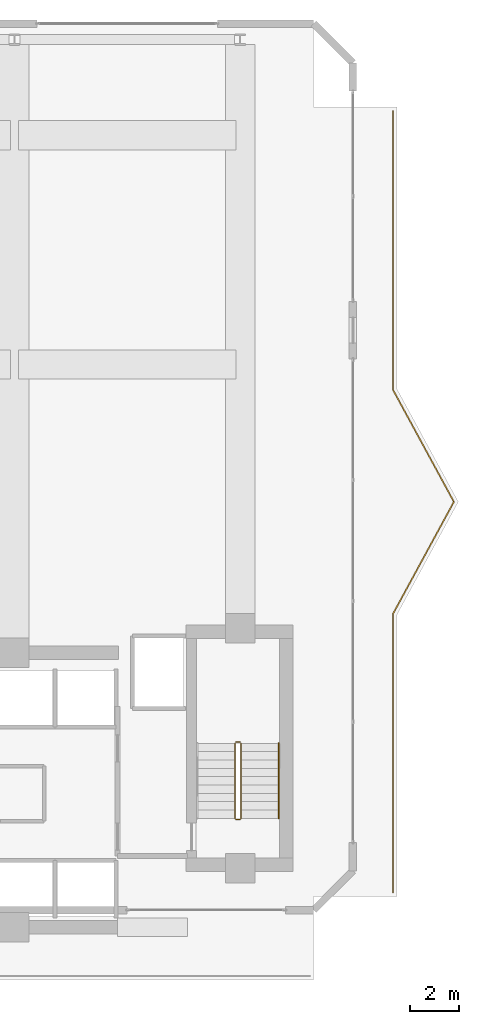
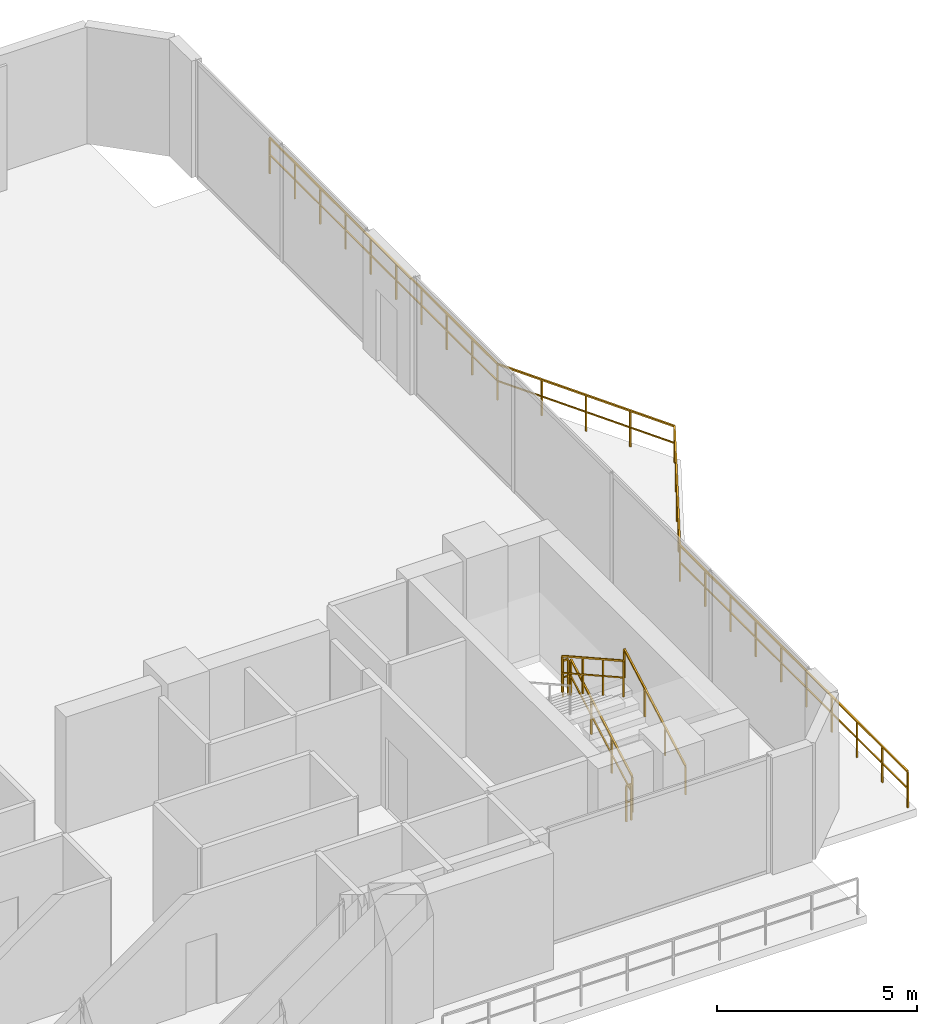
# One storey, part 27 of 27: 6 railings.
"""IFC4 building model written with IfcOpenShell, lengths in metres."""

from ifc_helpers import new_model, si_unit, direction, frame, origin, origin_2d, place, context, subcontext, project, spatial, rectangle, extrude, material, type_object, element, save


model = new_model("IFC4")

# Units and contexts
model_context = context("Model", 3, precision=1e-05, world=origin(), true_north=direction((0.0, 1.0)))
body_context = subcontext(model_context, "Body", "Model", "MODEL_VIEW")
ifc_project = project(units=[si_unit("LENGTHUNIT", "METRE"), si_unit("AREAUNIT", "SQUARE_METRE"), si_unit("VOLUMEUNIT", "CUBIC_METRE"), si_unit("PLANEANGLEUNIT", "RADIAN"), si_unit("MASSUNIT", "GRAM", prefix="KILO")], contexts=[model_context])

# Site, building, storey
site_placement = place(None, origin())
site = spatial("IfcSite", under=ifc_project, at=site_placement, CompositionType="ELEMENT")
building_placement = place(site_placement, origin())
building = spatial("IfcBuilding", under=site, at=building_placement, Name="Zuhayl Quay Hotel", CompositionType="ELEMENT")
storey_placement = place(building_placement, frame((0.0, 0.0, 297.25)))
storey = spatial("IfcBuildingStorey", under=building, at=storey_placement, Name="Crown 1", CompositionType="ELEMENT", Elevation=297.25)

# Railings
ifc_material_1 = material(Name="Anodised Aluminium and Laminated Glass", Category="aluminium")
railing_type_1 = type_object("IfcRailingType", Name="RL_EXT_BAL_1100", PredefinedType="BALUSTRADE", material=ifc_material_1)
railing_1_placement = place(storey_placement, frame((20.0400390625, 35.43994140625, 0.0)))
element("IfcRailing", 1, at=railing_1_placement, inside=storey, type_object=railing_type_1, Name="Crown 1 Balcony and Terrace Guard GR_CROWN_1_2", PredefinedType="BALUSTRADE", context=body_context, shape_type="SweptSolid", body=[
    extrude(rectangle(XDim=0.048095703125, YDim=0.048095703125, at=origin_2d()), frame((0.0, 0.0, 1.09619140625), z_axis=(0.0, -1.0, 0.0), x_axis=(1.0, 0.0, 0.0)), (0.0, 0.0, 1.0), 11.380615234375),
    extrude(rectangle(XDim=0.0361328125, YDim=0.0361328125, at=origin_2d()), frame((0.0, 0.0, 0.58251953125), z_axis=(0.0, -1.0, 0.0), x_axis=(1.0, 0.0, 0.0)), (0.0, 0.0, 1.0), 11.380615234375),
    extrude(rectangle(XDim=0.048095703125, YDim=0.048095703125, at=origin_2d()), frame((0.0, -11.380615234375, 1.09619140625), z_axis=(0.477496739162, -0.878633520923, 0.0), x_axis=(0.878633520923, 0.477496739162, 0.0)), (0.0, 0.0, 1.0), 5.189208984375),
    extrude(rectangle(XDim=0.0361328125, YDim=0.0361328125, at=origin_2d()), frame((0.0, -11.380615234375, 0.58251953125), z_axis=(0.477496739162, -0.878633520923, 0.0), x_axis=(0.878633520923, 0.477496739162, 0.0)), (0.0, 0.0, 1.0), 5.189208984375),
    extrude(rectangle(XDim=0.048095703125, YDim=0.048095703125, at=origin_2d()), frame((2.477783203125, -15.93994140625, 1.09619140625), z_axis=(-0.477496739162, -0.878633520923, 0.0), x_axis=(0.878633520923, -0.477496739162, 0.0)), (0.0, 0.0, 1.0), 5.189208984375),
    extrude(rectangle(XDim=0.0361328125, YDim=0.0361328125, at=origin_2d()), frame((2.477783203125, -15.93994140625, 0.58251953125), z_axis=(-0.477496739162, -0.878633520923, 0.0), x_axis=(0.878633520923, -0.477496739162, 0.0)), (0.0, 0.0, 1.0), 5.189208984375),
    extrude(rectangle(XDim=0.048095703125, YDim=0.048095703125, at=origin_2d()), frame((0.0, -20.499267578125, 1.09619140625), z_axis=(0.0, -1.0, 0.0), x_axis=(1.0, 0.0, 0.0)), (0.0, 0.0, 1.0), 11.380615234375),
    extrude(rectangle(XDim=0.0361328125, YDim=0.0361328125, at=origin_2d()), frame((0.0, -20.499267578125, 0.58251953125), z_axis=(0.0, -1.0, 0.0), x_axis=(1.0, 0.0, 0.0)), (0.0, 0.0, 1.0), 11.380615234375),
    extrude(rectangle(XDim=0.0419921875, YDim=0.0419921875, at=origin_2d()), origin(), (0.0, 0.0, 1.0), 1.072021484375),
    extrude(rectangle(XDim=0.0419921875, YDim=0.0419921875, at=origin_2d()), frame((0.0, -1.264404296875, 0.0)), (0.0, 0.0, 1.0), 1.072021484375),
    extrude(rectangle(XDim=0.0419921875, YDim=0.0419921875, at=origin_2d()), frame((0.0, -2.529052734375, 0.0)), (0.0, 0.0, 1.0), 1.072021484375),
    extrude(rectangle(XDim=0.0419921875, YDim=0.0419921875, at=origin_2d()), frame((0.0, -3.79345703125, 0.0)), (0.0, 0.0, 1.0), 1.072021484375),
    extrude(rectangle(XDim=0.0419921875, YDim=0.0419921875, at=origin_2d()), frame((0.0, -5.05810546875, 0.0)), (0.0, 0.0, 1.0), 1.072021484375),
    extrude(rectangle(XDim=0.0419921875, YDim=0.0419921875, at=origin_2d()), frame((0.0, -6.322509765625, 0.0)), (0.0, 0.0, 1.0), 1.072021484375),
    extrude(rectangle(XDim=0.0419921875, YDim=0.0419921875, at=origin_2d()), frame((0.0, -7.587158203125, 0.0)), (0.0, 0.0, 1.0), 1.072021484375),
    extrude(rectangle(XDim=0.0419921875, YDim=0.0419921875, at=origin_2d()), frame((0.0, -8.8515625, 0.0)), (0.0, 0.0, 1.0), 1.072021484375),
    extrude(rectangle(XDim=0.0419921875, YDim=0.0419921875, at=origin_2d()), frame((0.0, -10.1162109375, 0.0)), (0.0, 0.0, 1.0), 1.072021484375),
    extrude(rectangle(XDim=0.0419921875, YDim=0.0419921875, at=origin_2d()), frame((0.0, -11.380615234375, 0.0)), (0.0, 0.0, 1.0), 1.072021484375),
    extrude(rectangle(XDim=0.0419921875, YDim=0.0419921875, at=origin_2d()), frame((0.619384765625, -12.5205078125, 0.0)), (0.0, 0.0, 1.0), 1.072021484375),
    extrude(rectangle(XDim=0.0419921875, YDim=0.0419921875, at=origin_2d()), frame((1.23876953125, -13.66015625, 0.0)), (0.0, 0.0, 1.0), 1.072021484375),
    extrude(rectangle(XDim=0.0419921875, YDim=0.0419921875, at=origin_2d()), frame((1.8583984375, -14.800048828125, 0.0)), (0.0, 0.0, 1.0), 1.072021484375),
    extrude(rectangle(XDim=0.0419921875, YDim=0.0419921875, at=origin_2d()), frame((2.477783203125, -15.93994140625, 0.0)), (0.0, 0.0, 1.0), 1.072021484375),
    extrude(rectangle(XDim=0.0419921875, YDim=0.0419921875, at=origin_2d()), frame((1.8583984375, -17.079833984375, 0.0)), (0.0, 0.0, 1.0), 1.072021484375),
    extrude(rectangle(XDim=0.0419921875, YDim=0.0419921875, at=origin_2d()), frame((1.23876953125, -18.2197265625, 0.0)), (0.0, 0.0, 1.0), 1.072021484375),
    extrude(rectangle(XDim=0.0419921875, YDim=0.0419921875, at=origin_2d()), frame((0.619384765625, -19.359375, 0.0)), (0.0, 0.0, 1.0), 1.072021484375),
    extrude(rectangle(XDim=0.0419921875, YDim=0.0419921875, at=origin_2d()), frame((0.0, -20.499267578125, 0.0)), (0.0, 0.0, 1.0), 1.072021484375),
    extrude(rectangle(XDim=0.0419921875, YDim=0.0419921875, at=origin_2d()), frame((0.0, -21.763671875, 0.0)), (0.0, 0.0, 1.0), 1.072021484375),
    extrude(rectangle(XDim=0.0419921875, YDim=0.0419921875, at=origin_2d()), frame((0.0, -23.0283203125, 0.0)), (0.0, 0.0, 1.0), 1.072021484375),
    extrude(rectangle(XDim=0.0419921875, YDim=0.0419921875, at=origin_2d()), frame((0.0, -24.292724609375, 0.0)), (0.0, 0.0, 1.0), 1.072021484375),
    extrude(rectangle(XDim=0.0419921875, YDim=0.0419921875, at=origin_2d()), frame((0.0, -25.557373046875, 0.0)), (0.0, 0.0, 1.0), 1.072021484375),
    extrude(rectangle(XDim=0.0419921875, YDim=0.0419921875, at=origin_2d()), frame((0.0, -26.82177734375, 0.0)), (0.0, 0.0, 1.0), 1.072021484375),
    extrude(rectangle(XDim=0.0419921875, YDim=0.0419921875, at=origin_2d()), frame((0.0, -28.08642578125, 0.0)), (0.0, 0.0, 1.0), 1.072021484375),
    extrude(rectangle(XDim=0.0419921875, YDim=0.0419921875, at=origin_2d()), frame((0.0, -29.350830078125, 0.0)), (0.0, 0.0, 1.0), 1.072021484375),
    extrude(rectangle(XDim=0.0419921875, YDim=0.0419921875, at=origin_2d()), frame((0.0, -30.615478515625, 0.0)), (0.0, 0.0, 1.0), 1.072021484375),
    extrude(rectangle(XDim=0.0419921875, YDim=0.0419921875, at=origin_2d()), frame((0.0, -31.8798828125, 0.0)), (0.0, 0.0, 1.0), 1.072021484375),
])
ifc_material_2 = material(Name="Steel ASTM A992 Grade 50", Category="steel")
railing_type_2 = type_object("IfcRailingType", Name="RL_GUARD_1100", PredefinedType="GUARDRAIL", material=ifc_material_2)
railing_2_placement = place(storey_placement, frame((13.840087890625, 6.590087890625, 0.18994140625)))
element("IfcRailing", 2, at=railing_2_placement, inside=storey, type_object=railing_type_2, Name="Crown 1 ST2 stair guard 1", PredefinedType="GUARDRAIL", context=body_context, shape_type="SweptSolid", body=[
    extrude(rectangle(XDim=0.048095703125, YDim=0.048095703125, at=origin_2d()), frame((0.0, 0.0, 1.09619140625), z_axis=(0.0, 0.872935630794, 0.487835407172), x_axis=(-1.0, 0.0, 0.0)), (0.0, 0.0, 1.0), 3.505126953125),
    extrude(rectangle(XDim=0.0361328125, YDim=0.0361328125, at=origin_2d()), frame((0.0, 0.0, 0.58251953125), z_axis=(0.0, 0.872935630794, 0.487835407172), x_axis=(-1.0, 0.0, 0.0)), (0.0, 0.0, 1.0), 3.505126953125),
    extrude(rectangle(XDim=0.0419921875, YDim=0.0419921875, at=origin_2d()), origin(), (0.0, 0.0, 1.0), 1.072021484375),
    extrude(rectangle(XDim=0.0419921875, YDim=0.0419921875, at=origin_2d()), frame((0.0, 1.02001953125, 0.570068359375)), (0.0, 0.0, 1.0), 1.072021484375),
    extrude(rectangle(XDim=0.0419921875, YDim=0.0419921875, at=origin_2d()), frame((0.0, 2.039794921875, 1.139892578125)), (0.0, 0.0, 1.0), 1.072021484375),
    extrude(rectangle(XDim=0.0419921875, YDim=0.0419921875, at=origin_2d()), frame((0.0, 3.059814453125, 1.7099609375)), (0.0, 0.0, 1.0), 1.072021484375),
])
railing_3_placement = place(storey_placement, frame((13.7900390625, 9.699951171875, 1.89990234375)))
element("IfcRailing", 3, at=railing_3_placement, inside=storey, type_object=railing_type_2, Name="Crown 1 ST2 stair guard 2", PredefinedType="GUARDRAIL", context=body_context, shape_type="SweptSolid", body=[
    extrude(rectangle(XDim=0.048095703125, YDim=0.048095703125, at=origin_2d()), frame((0.0, 0.0, 1.09619140625), z_axis=(-1.0, 0.0, 0.0), x_axis=(0.0, -1.0, 0.0)), (0.0, 0.0, 1.0), 0.150146484375),
    extrude(rectangle(XDim=0.0361328125, YDim=0.0361328125, at=origin_2d()), frame((0.0, 0.0, 0.58251953125), z_axis=(-1.0, 0.0, 0.0), x_axis=(0.0, -1.0, 0.0)), (0.0, 0.0, 1.0), 0.150146484375),
    extrude(rectangle(XDim=0.0419921875, YDim=0.0419921875, at=origin_2d()), origin(), (0.0, 0.0, 1.0), 1.072021484375),
    extrude(rectangle(XDim=0.0419921875, YDim=0.0419921875, at=origin_2d()), frame((-0.150146484375, 0.0, 0.0)), (0.0, 0.0, 1.0), 1.072021484375),
])
railing_4_placement = place(storey_placement, frame((13.590087890625, 9.64990234375, 2.090087890625)))
element("IfcRailing", 4, at=railing_4_placement, inside=storey, type_object=railing_type_2, Name="Crown 1 ST2 stair guard 3", PredefinedType="GUARDRAIL", context=body_context, shape_type="SweptSolid", body=[
    extrude(rectangle(XDim=0.048095703125, YDim=0.048095703125, at=origin_2d()), frame((0.0, 0.0, 1.09619140625), z_axis=(0.0, -0.872935630794, 0.487835407172), x_axis=(1.0, 0.0, 0.0)), (0.0, 0.0, 1.0), 3.505126953125),
    extrude(rectangle(XDim=0.0361328125, YDim=0.0361328125, at=origin_2d()), frame((0.0, 0.0, 0.58251953125), z_axis=(0.0, -0.872935630794, 0.487835407172), x_axis=(1.0, 0.0, 0.0)), (0.0, 0.0, 1.0), 3.505126953125),
    extrude(rectangle(XDim=0.0419921875, YDim=0.0419921875, at=origin_2d()), origin(), (0.0, 0.0, 1.0), 1.072021484375),
    extrude(rectangle(XDim=0.0419921875, YDim=0.0419921875, at=origin_2d()), frame((0.0, -1.02001953125, 0.570068359375)), (0.0, 0.0, 1.0), 1.072021484375),
    extrude(rectangle(XDim=0.0419921875, YDim=0.0419921875, at=origin_2d()), frame((0.0, -2.039794921875, 1.139892578125)), (0.0, 0.0, 1.0), 1.072021484375),
    extrude(rectangle(XDim=0.0419921875, YDim=0.0419921875, at=origin_2d()), frame((0.0, -3.059814453125, 1.7099609375)), (0.0, 0.0, 1.0), 1.072021484375),
])
railing_5_placement = place(storey_placement, frame((13.7900390625, 6.5400390625, 0.0)))
element("IfcRailing", 5, at=railing_5_placement, inside=storey, type_object=railing_type_2, Name="Crown 1 ST2 stair guard 4", PredefinedType="GUARDRAIL", context=body_context, shape_type="SweptSolid", body=[
    extrude(rectangle(XDim=0.048095703125, YDim=0.048095703125, at=origin_2d()), frame((0.0, 0.0, 1.09619140625), z_axis=(-1.0, 0.0, 0.0), x_axis=(0.0, -1.0, 0.0)), (0.0, 0.0, 1.0), 0.150146484375),
    extrude(rectangle(XDim=0.0361328125, YDim=0.0361328125, at=origin_2d()), frame((0.0, 0.0, 0.58251953125), z_axis=(-1.0, 0.0, 0.0), x_axis=(0.0, -1.0, 0.0)), (0.0, 0.0, 1.0), 0.150146484375),
    extrude(rectangle(XDim=0.0419921875, YDim=0.0419921875, at=origin_2d()), origin(), (0.0, 0.0, 1.0), 1.072021484375),
    extrude(rectangle(XDim=0.0419921875, YDim=0.0419921875, at=origin_2d()), frame((-0.150146484375, 0.0, 0.0)), (0.0, 0.0, 1.0), 1.072021484375),
])
railing_type_3 = type_object("IfcRailingType", Name="RL_HANDRAIL_920", PredefinedType="HANDRAIL", material=ifc_material_2)
railing_6_placement = place(storey_placement, frame((15.3798828125, 6.590087890625, 0.18994140625)))
element("IfcRailing", 6, at=railing_6_placement, inside=storey, type_object=railing_type_3, Name="Crown 1 ST2 stair handrail 1", PredefinedType="HANDRAIL", context=body_context, shape_type="SweptSolid", body=[
    extrude(rectangle(XDim=0.048095703125, YDim=0.048095703125, at=origin_2d()), frame((0.0, 0.0, 0.8759765625), z_axis=(0.0, 0.872935630794, 0.487835407172), x_axis=(-1.0, 0.0, 0.0)), (0.0, 0.0, 1.0), 3.505126953125),
    extrude(rectangle(XDim=0.0419921875, YDim=0.0419921875, at=origin_2d()), origin(), (0.0, 0.0, 1.0), 0.851806640625),
    extrude(rectangle(XDim=0.0419921875, YDim=0.0419921875, at=origin_2d()), frame((0.0, 1.02001953125, 0.570068359375)), (0.0, 0.0, 1.0), 0.851806640625),
    extrude(rectangle(XDim=0.0419921875, YDim=0.0419921875, at=origin_2d()), frame((0.0, 2.039794921875, 1.139892578125)), (0.0, 0.0, 1.0), 0.851806640625),
    extrude(rectangle(XDim=0.0419921875, YDim=0.0419921875, at=origin_2d()), frame((0.0, 3.059814453125, 1.7099609375)), (0.0, 0.0, 1.0), 0.851806640625),
])

save(model, "model.ifc")
